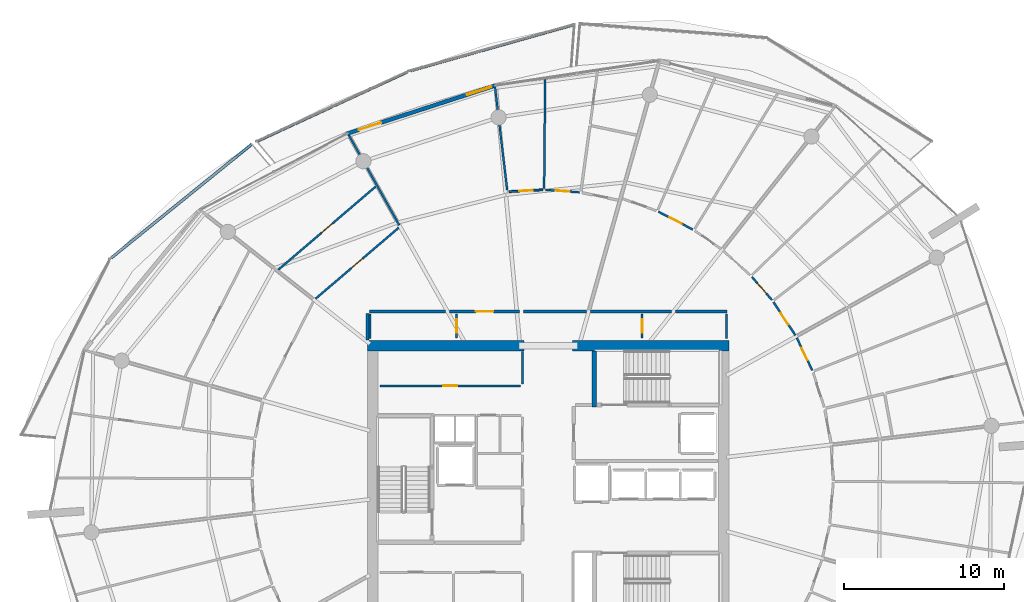
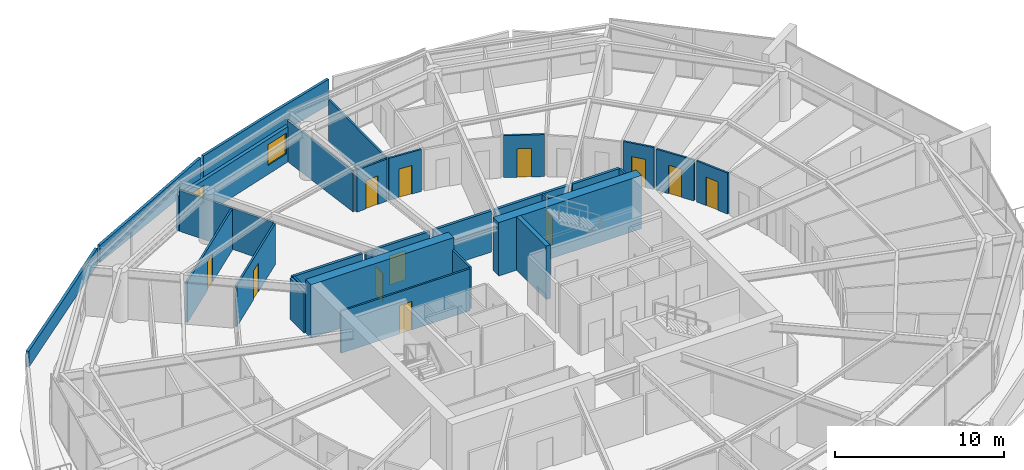
# One storey, part 21 of 29: 30 walls, 13 doors, 1 window, 14 openings.
"""IFC4 building model written with IfcOpenShell, lengths in metres."""

import ifcopenshell
import ifcopenshell.guid

model = None  # the IFC model being written
_history = None  # IfcOwnerHistory: only IFC2X3 demands one
_inside = {}  # id of a spatial element -> (the spatial element, [elements in it])
_under = {}  # id of a project, library or spatial element -> (it, [spatial elements below it])
_declared = {}  # id of a project -> (the project, [libraries it declares])
_typed = {}  # id of a type object -> (the type object, [elements of that type])
_made_of = {}  # id of a material, layer set ... -> (it, [elements and type objects made of it])


def new_model(schema):
    """Start an empty IFC model of exactly this schema.

    Asked for "IFC4X3", IfcOpenShell would pick the latest addendum, in which some entities
    have other attributes; the version numbers below select the first issue.
    IFC2X3 requires an IfcOwnerHistory on every rooted entity: one is made here for all.
    """
    global model, _history
    if schema == "IFC4X3":
        model = ifcopenshell.file(schema_version=(4, 3, 0, 0))
    else:
        model = ifcopenshell.file(schema=schema)
    _inside.clear()
    _under.clear()
    _declared.clear()
    _typed.clear()
    _made_of.clear()
    _history = None
    if model.schema == "IFC2X3":
        org = make("IfcOrganization", Name="unknown")
        user = make(
            "IfcPersonAndOrganization",
            ThePerson=make("IfcPerson", FamilyName="unknown"),
            TheOrganization=org,
        )
        app = make(
            "IfcApplication",
            ApplicationDeveloper=org,
            Version="unknown",
            ApplicationFullName="unknown",
            ApplicationIdentifier="unknown",
        )
        _history = make(
            "IfcOwnerHistory",
            OwningUser=user,
            OwningApplication=app,
            ChangeAction="ADDED",
            CreationDate=0,
        )
    return model


def make(cls, **values):
    """One entity of the class cls with the attributes given. An attribute that is None is left unset."""
    return model.create_entity(
        cls, **{name: value for name, value in values.items() if value is not None}
    )


def rooted(cls, **values):
    """An entity with a GlobalId (a new one), such as an element, a storey or a relation."""
    return make(cls, GlobalId=ifcopenshell.guid.new(), OwnerHistory=_history, **values)


def si_unit(unit_type, name, prefix=None):
    """IfcSIUnit, for example si_unit("LENGTHUNIT", "METRE", prefix="MILLI")."""
    return make("IfcSIUnit", UnitType=unit_type, Prefix=prefix, Name=name)


def assignment(units):
    """IfcUnitAssignment: the units of a project."""
    return None if units is None else make("IfcUnitAssignment", Units=units)


def point(xyz):
    """IfcCartesianPoint."""
    return None if xyz is None else make("IfcCartesianPoint", Coordinates=xyz)


def direction(xyz):
    """IfcDirection."""
    return None if xyz is None else make("IfcDirection", DirectionRatios=xyz)


def frame(location, z_axis=None, x_axis=None):
    """IfcAxis2Placement3D, a coordinate frame: its origin and axes. An axis left out is left unset."""
    return make(
        "IfcAxis2Placement3D",
        Location=point(location),
        Axis=direction(z_axis),
        RefDirection=direction(x_axis),
    )


def frame_2d(location, x_axis=None):
    """IfcAxis2Placement2D, a coordinate frame in the plane: its origin and x axis."""
    return make(
        "IfcAxis2Placement2D", Location=point(location), RefDirection=direction(x_axis)
    )


def origin():
    """The frame at (0, 0, 0) with its axes left unset."""
    return frame((0.0, 0.0, 0.0))


def place(relative_to, where):
    """IfcLocalPlacement: puts the frame where relative to a parent placement (None: the world)."""
    return make(
        "IfcLocalPlacement", PlacementRelTo=relative_to, RelativePlacement=where
    )


def context(
    kind, dimensions, precision=None, world=None, true_north=None, identifier=None
):
    """IfcGeometricRepresentationContext, for example the 3D "Model" context."""
    return make(
        "IfcGeometricRepresentationContext",
        ContextIdentifier=identifier,
        ContextType=kind,
        CoordinateSpaceDimension=dimensions,
        Precision=precision,
        WorldCoordinateSystem=world,
        TrueNorth=true_north,
    )


def subcontext(parent, identifier, kind, view, scale=None):
    """IfcGeometricRepresentationSubContext, for example "Body" below "Model"."""
    return make(
        "IfcGeometricRepresentationSubContext",
        ContextIdentifier=identifier,
        ContextType=kind,
        ParentContext=parent,
        TargetScale=scale,
        TargetView=view,
    )


def project(units=None, contexts=None):
    """IfcProject with its units and contexts."""
    return rooted(
        "IfcProject",
        Name="project",
        RepresentationContexts=contexts,
        UnitsInContext=assignment(units),
    )


def spatial(cls, under=None, at=None, **own):
    """A site, building, storey or space (cls), placed at a placement, below another one or the project."""
    s = rooted(cls, ObjectPlacement=at, **own)
    if under is not None:
        _under.setdefault(under.id(), (under, []))[1].append(s)
    return s


def polyline(points):
    """IfcPolyline through the points."""
    return make("IfcPolyline", Points=[point(p) for p in points])


def profile(cls, at=None, kind="AREA", **sizes):
    """A parametric profile (cls). Its sizes go by their IFC names, for example OverallWidth=200.0."""
    return make(cls, ProfileType=kind, Position=at, **sizes)


def rectangle(**sizes):
    """IfcRectangleProfileDef."""
    return profile("IfcRectangleProfileDef", **sizes)


def outline(outer, holes=None, kind="AREA"):
    """IfcArbitraryClosedProfileDef: a profile drawn as a closed curve; with holes, ...WithVoids."""
    if holes is None:
        return make("IfcArbitraryClosedProfileDef", ProfileType=kind, OuterCurve=outer)
    return make(
        "IfcArbitraryProfileDefWithVoids",
        ProfileType=kind,
        OuterCurve=outer,
        InnerCurves=holes,
    )


def extrude(swept, where, along, depth):
    """IfcExtrudedAreaSolid: the profile swept, set in the frame where, extruded along a direction by depth."""
    return make(
        "IfcExtrudedAreaSolid",
        SweptArea=swept,
        Position=where,
        ExtrudedDirection=direction(along),
        Depth=depth,
    )


def shape(context_of_items, identifier, shape_type, items):
    """IfcShapeRepresentation: the items that make up one representation, for example the "Body"."""
    return make(
        "IfcShapeRepresentation",
        ContextOfItems=context_of_items,
        RepresentationIdentifier=identifier,
        RepresentationType=shape_type,
        Items=items,
    )


def material(Name=None, Category=None):
    """IfcMaterial."""
    return make("IfcMaterial", Name=Name, Category=Category)


def layer(
    of_material, thickness, ventilated=None, Name=None, Category=None, Priority=None
):
    """IfcMaterialLayer: one layer of a wall or slab, of a material (None: an air gap)."""
    return make(
        "IfcMaterialLayer",
        Material=of_material,
        LayerThickness=thickness,
        IsVentilated=ventilated,
        Name=Name,
        Category=Category,
        Priority=Priority,
    )


def layer_set(layers, Name=None):
    """IfcMaterialLayerSet."""
    return make("IfcMaterialLayerSet", MaterialLayers=layers, LayerSetName=Name)


def made_of(thing, what):
    """Note that an element or type object is made of a material, layer set ...; save() writes the relation."""
    if what is not None:
        _made_of.setdefault(what.id(), (what, []))[1].append(thing)
    return thing


def type_object(cls, material=None, **own):
    """A type object (cls), such as IfcWallType, which elements share."""
    return made_of(rooted(cls, **own), material)


def element(
    cls,
    number,
    at=None,
    inside=None,
    cuts=None,
    type_object=None,
    material=None,
    context=None,
    identifier="Body",
    shape_type=None,
    held_by="IfcProductDefinitionShape",
    body=None,
    shapes=None,
    **own,
):
    """One element of the class cls, such as IfcWall. Its Tag is "e" and its number.

    at: its placement. inside: the storey or other place that contains it. cuts: it is an
    opening in that element (IfcRelVoidsElement). A single representation is given by context,
    identifier, shape_type and body (its items); several are given by shapes. held_by: the class
    of the entity that holds the representations. save() writes the other relations.
    """
    e = rooted(cls, Tag="e%d" % number, ObjectPlacement=at, **own)
    if body is not None:
        shapes = [shape(context, identifier, shape_type, body)]
    if shapes is not None:
        e.Representation = make(held_by, Representations=shapes)
    if inside is not None:
        _inside.setdefault(inside.id(), (inside, []))[1].append(e)
    if cuts is not None:
        rooted(
            "IfcRelVoidsElement", RelatingBuildingElement=cuts, RelatedOpeningElement=e
        )
    if type_object is not None:
        _typed.setdefault(type_object.id(), (type_object, []))[1].append(e)
    return made_of(e, material)


def fill(opening, filler):
    """IfcRelFillsElement: the door or window that sits in an opening."""
    return rooted(
        "IfcRelFillsElement",
        RelatingOpeningElement=opening,
        RelatedBuildingElement=filler,
    )


def aggregate(whole, parts):
    """IfcRelAggregates: a whole, such as a stair, and the parts it consists of."""
    return rooted("IfcRelAggregates", RelatingObject=whole, RelatedObjects=parts)


def save(model, path):
    """Write the relations noted so far, then the file.

    IfcRelAggregates (storeys below a building ...), IfcRelContainedInSpatialStructure (elements
    in a storey), IfcRelDefinesByType, IfcRelAssociatesMaterial and IfcRelDeclares: one each for
    every whole, place, type object, material and project.
    """
    for whole, parts in _under.values():
        aggregate(whole, parts)
    for where, things in _inside.values():
        rooted(
            "IfcRelContainedInSpatialStructure",
            RelatedElements=things,
            RelatingStructure=where,
        )
    for kind, things in _typed.values():
        rooted("IfcRelDefinesByType", RelatedObjects=things, RelatingType=kind)
    for what, things in _made_of.values():
        rooted("IfcRelAssociatesMaterial", RelatedObjects=things, RelatingMaterial=what)
    for by, libraries in _declared.values():
        rooted("IfcRelDeclares", RelatingContext=by, RelatedDefinitions=libraries)
    model.write(path)


model = new_model("IFC4")

# Units and contexts
model_context = context("Model", 3, precision=1e-05, world=origin(), true_north=direction((0.0, 1.0)))
body_context = subcontext(model_context, "Body", "Model", "MODEL_VIEW")
ifc_project = project(units=[si_unit("LENGTHUNIT", "METRE"), si_unit("AREAUNIT", "SQUARE_METRE"), si_unit("VOLUMEUNIT", "CUBIC_METRE"), si_unit("PLANEANGLEUNIT", "RADIAN"), si_unit("MASSUNIT", "GRAM", prefix="KILO")], contexts=[model_context])

# Site, building, storey
site_placement = place(None, origin())
site = spatial("IfcSite", under=ifc_project, at=site_placement, CompositionType="ELEMENT")
building_placement = place(site_placement, origin())
building = spatial("IfcBuilding", under=site, at=building_placement, Name="Kazma Halo Residences", CompositionType="ELEMENT")
storey_placement = place(building_placement, frame((0.0, 0.0, 252.10009765625)))
storey = spatial("IfcBuildingStorey", under=building, at=storey_placement, Name="L63", CompositionType="ELEMENT", Elevation=252.10009765625)

# Walls
ifc_material_1 = material(Name="White Concrete C50/60 Balustrade", Category="concrete")
ifc_layer_1 = layer(ifc_material_1, 0.179931640625)
ifc_layer_set_1 = layer_set([ifc_layer_1], Name="White Concrete C50/60 Balustrade")
wall_type_1 = type_object("IfcWallType", Name="WL-BAL-WAVE-180", PredefinedType="PARAPET", material=ifc_layer_set_1)
wall_1_placement = place(storey_placement, frame((50.05810546875, 70.364501953125, 0.0), z_axis=(0.0, 0.0, 1.0), x_axis=(-0.962462930889, -0.271413165976, 0.0)))
element("IfcWall", 1, at=wall_1_placement, inside=storey, type_object=wall_type_1, Name="L63 white wave balustrade wall NNW.1", PredefinedType="PARAPET", context=body_context, shape_type="SweptSolid", body=[
    extrude(outline(polyline([(0.0, 0.0), (10.610595703125, 0.0), (10.610595703125, 1.6318359375), (5.305419921875, 1.7978515625), (0.0, 1.85986328125), (0.0, 0.0)])), frame((0.0, 0.08984375, 0.0), z_axis=(0.0, -1.0, 0.0), x_axis=(1.0, 0.0, 0.0)), (0.0, 0.0, 1.0), 0.179931640625),
])
wall_2_placement = place(storey_placement, frame((39.621337890625, 67.401611328125, 0.0), z_axis=(0.0, 0.0, 1.0), x_axis=(-0.907848132744, -0.419299138888, 0.0)))
element("IfcWall", 2, at=wall_2_placement, inside=storey, type_object=wall_type_1, Name="L63 white wave balustrade wall NNW.2", PredefinedType="PARAPET", context=body_context, shape_type="SweptSolid", body=[
    extrude(outline(polyline([(0.0, 0.0), (10.34375, 0.0), (10.34375, 1.23291015625), (5.171875, 1.41796875), (0.0, 1.6318359375), (0.0, 0.0)])), frame((0.0, 0.08984375, 0.0), z_axis=(0.0, -1.0, 0.0), x_axis=(1.0, 0.0, 0.0)), (0.0, 0.0, 1.0), 0.179931640625),
])
wall_3_placement = place(storey_placement, frame((29.9326171875, 62.89453125, 0.0), z_axis=(0.0, 0.0, 1.0), x_axis=(-0.777688536298, -0.628649775718, 0.0)))
element("IfcWall", 3, at=wall_3_placement, inside=storey, type_object=wall_type_1, Name="L63 white wave balustrade wall NW.1", PredefinedType="PARAPET", context=body_context, shape_type="SweptSolid", body=[
    extrude(outline(polyline([(0.0, 0.0), (11.284912109375, 0.0), (11.28466796875, 1.14794921875), (5.642333984375, 1.126953125), (0.0, 1.223876953125), (0.0, 0.0)])), frame((0.0, 0.08984375, 0.0), z_axis=(0.0, -1.0, 0.0), x_axis=(1.0, 0.0, 0.0)), (0.0, 0.0, 1.0), 0.179931640625),
])
ifc_material_2 = material(Name="Concrete C60/75", Category="concrete")
ifc_layer_2 = layer(ifc_material_2, 0.64990234375)
ifc_layer_set_2 = layer_set([ifc_layer_2], Name="Concrete C60/75")
wall_type_2 = type_object("IfcWallType", Name="WL-CORE-650", PredefinedType="SHEAR", material=ifc_layer_set_2)
for number, where, z_axis, x_axis, name in (
    (4, (37.14990234375, 50.324951171875, 0.0), (0.0, 0.0, 1.0), (1.0, 0.0, 0.0), "L63 central core shear wall NW"),
    (5, (49.949951171875, 50.324951171875, 0.0), (0.0, 0.0, 1.0), (1.0, 0.0, 0.0), "L63 central core shear wall NE"),
):
    element("IfcWall", number, at=place(storey_placement, frame(where, z_axis=z_axis, x_axis=x_axis)), inside=storey, type_object=wall_type_2, Name=name, PredefinedType="SHEAR", context=body_context, shape_type="SweptSolid", body=[
        extrude(rectangle(XDim=9.75, YDim=0.64990234375, at=frame_2d((4.875, 0.0))), origin(), (0.0, 0.0, 1.0), 3.849853515625),
    ])
ifc_layer_3 = layer(ifc_material_2, 0.280029296875)
ifc_layer_set_3 = layer_set([ifc_layer_3], Name="Concrete C60/75")
wall_type_3 = type_object("IfcWallType", Name="WL-CORE-ST-280", PredefinedType="SHEAR", material=ifc_layer_set_3)
wall_4_placement = place(storey_placement, frame((51.31005859375, 46.5, 0.0), z_axis=(0.0, 0.0, 1.0), x_axis=(0.0, 1.0, 0.0)))
element("IfcWall", 6, at=wall_4_placement, inside=storey, type_object=wall_type_3, Name="L63 stairwell bearing wall ST02-W", PredefinedType="SHEAR", context=body_context, shape_type="SweptSolid", body=[
    extrude(rectangle(XDim=3.5, YDim=0.280029296875, at=frame_2d((1.75, 0.0))), origin(), (0.0, 0.0, 1.0), 3.849853515625),
])

# Wall, opening, door
ifc_material_3 = material(Name="Acoustic Twin-Stud Gypsum")
ifc_layer_4 = layer(ifc_material_3, 0.179931640625)
ifc_layer_set_4 = layer_set([ifc_layer_4], Name="Acoustic Twin-Stud Gypsum")
wall_type_4 = type_object("IfcWallType", Name="WL-DEM-180", PredefinedType="PARTITIONING", material=ifc_layer_set_4)
wall_5_placement = place(storey_placement, frame((46.643310546875, 52.449951171875, 0.0), z_axis=(0.0, 0.0, 1.0), x_axis=(-1.0, 0.0, 0.0)))
wall_5 = element("IfcWall", 7, at=wall_5_placement, inside=storey, type_object=wall_type_4, Name="L63 Apartment 1 entrance corridor wall", PredefinedType="PARTITIONING", context=body_context, shape_type="SweptSolid", body=[
    extrude(rectangle(XDim=4.375732421875, YDim=0.179931640625, at=frame_2d((2.18798828125, 0.0))), origin(), (0.0, 0.0, 1.0), 2.956787109375),
])
opening_1_placement = place(wall_5_placement, frame((1.6376953125, 0.0, 0.0)))
opening_1 = element("IfcOpeningElement", 8, at=opening_1_placement, cuts=wall_5, Name="Opening DA-1100", PredefinedType="OPENING", context=body_context, shape_type="SweptSolid", body=[
    extrude(rectangle(XDim=1.10009765625, YDim=2.10009765625, at=frame_2d((0.550048828125, 1.050048828125))), frame((0.0, 0.099853515625, 0.0), z_axis=(0.0, -1.0, 0.0), x_axis=(1.0, 0.0, 0.0)), (0.0, 0.0, 1.0), 0.199951171875),
])
ifc_material_4 = material(Name="Acoustic Walnut Fire Leaf")
door_type_1 = type_object("IfcDoorType", Name="DR-FD60-1100", OperationType="NOTDEFINED", PredefinedType="DOOR", material=ifc_material_4)
door_1_placement = place(opening_1_placement, origin())
door_1 = element("IfcDoor", 9, at=door_1_placement, inside=storey, type_object=door_type_1, Name="L63 Apartment 1 entrance fire door", OperationType="SINGLE_SWING_LEFT", OverallHeight=2.10009765625, OverallWidth=1.10009765625, PredefinedType="DOOR", context=body_context, shape_type="SweptSolid", body=[
    extrude(rectangle(XDim=1.10009765625, YDim=2.10009765625, at=frame_2d((0.550048828125, 1.050048828125))), frame((0.0, 0.02490234375, 0.0), z_axis=(0.0, -1.0, 0.0), x_axis=(1.0, 0.0, 0.0)), (0.0, 0.0, 1.0), 0.050048828125),
])
fill(opening_1, door_1)

# Walls
wall_6_placement = place(storey_placement, frame((50.8271484375, 52.449951171875, 0.0), z_axis=(0.0, 0.0, 1.0), x_axis=(-1.0, 0.0, 0.0)))
element("IfcWall", 10, at=wall_6_placement, inside=storey, type_object=wall_type_4, Name="L63 Apartment 1 inner wall 2", PredefinedType="PARTITIONING", context=body_context, shape_type="SweptSolid", body=[
    extrude(rectangle(XDim=3.94384765625, YDim=0.179931640625, at=frame_2d((1.971923828125, 0.0))), origin(), (0.0, 0.0, 1.0), 2.956787109375),
])
wall_7_placement = place(storey_placement, frame((42.027587890625, 52.449951171875, 0.0), z_axis=(0.0, 0.0, 1.0), x_axis=(-1.0, 0.0, 0.0)))
element("IfcWall", 11, at=wall_7_placement, inside=storey, type_object=wall_type_4, Name="L63 Apartment 1 inner wall 4", PredefinedType="PARTITIONING", context=body_context, shape_type="SweptSolid", body=[
    extrude(rectangle(XDim=4.757568359375, YDim=0.179931640625, at=frame_2d((2.37890625, 0.0))), origin(), (0.0, 0.0, 1.0), 2.956787109375),
])
wall_8_placement = place(storey_placement, frame((37.14990234375, 52.330078125, 0.0), z_axis=(0.0, 0.0, 1.0), x_axis=(0.0, -1.0, 0.0)))
element("IfcWall", 12, at=wall_8_placement, inside=storey, type_object=wall_type_4, Name="L63 Apartment 1 inner wall 4", PredefinedType="PARTITIONING", context=body_context, shape_type="SweptSolid", body=[
    extrude(rectangle(XDim=1.656494140625, YDim=0.179931640625, at=frame_2d((0.828125, 0.0))), origin(), (0.0, 0.0, 1.0), 2.956787109375),
])
wall_9_placement = place(storey_placement, frame((59.580078125, 52.449951171875, 0.0), z_axis=(0.0, 0.0, 1.0), x_axis=(-1.0, 0.0, 0.0)))
element("IfcWall", 13, at=wall_9_placement, inside=storey, type_object=wall_type_4, Name="L63 Apartment 3 inner wall 0", PredefinedType="PARTITIONING", context=body_context, shape_type="SweptSolid", body=[
    extrude(rectangle(XDim=3.221923828125, YDim=0.179931640625, at=frame_2d((1.61083984375, 0.0))), origin(), (0.0, 0.0, 1.0), 2.956787109375),
])
wall_10_placement = place(storey_placement, frame((56.1181640625, 52.449951171875, 0.0), z_axis=(0.0, 0.0, 1.0), x_axis=(-1.0, 0.0, 0.0)))
element("IfcWall", 14, at=wall_10_placement, inside=storey, type_object=wall_type_4, Name="L63 Apartment 3 inner wall 1", PredefinedType="PARTITIONING", context=body_context, shape_type="SweptSolid", body=[
    extrude(rectangle(XDim=5.051025390625, YDim=0.179931640625, at=frame_2d((2.525390625, 0.0))), origin(), (0.0, 0.0, 1.0), 2.956787109375),
])

# Wall, openings, door, window
ifc_material_5 = material(Name="Insulated Pale-Metal Composite Wall")
ifc_layer_5 = layer(ifc_material_5, 0.239990234375)
ifc_layer_set_5 = layer_set([ifc_layer_5], Name="Insulated Pale-Metal Composite Wall")
wall_type_5 = type_object("IfcWallType", Name="WL-EXT-HOST-240", PredefinedType="SOLIDWALL", material=ifc_layer_set_5)
wall_11_placement = place(storey_placement, frame((45.14208984375, 66.563720703125, 0.0), z_axis=(0.0, 0.0, 1.0), x_axis=(-0.951055974609, -0.309018661507, 0.0)))
wall_11 = element("IfcWall", 15, at=wall_11_placement, inside=storey, type_object=wall_type_5, Name="L63 exterior terrace-access wall B04", PredefinedType="SOLIDWALL", context=body_context, shape_type="SweptSolid", body=[
    extrude(rectangle(XDim=9.745361328125, YDim=0.239990234375, at=frame_2d((4.87255859375, 0.0))), origin(), (0.0, 0.0, 1.0), 2.539794921875),
])
opening_2_placement = place(wall_11_placement, frame((7.525390625, 0.0, 0.0)))
opening_2 = element("IfcOpeningElement", 16, at=opening_2_placement, cuts=wall_11, Name="Opening DTR-1600", PredefinedType="OPENING", context=body_context, shape_type="SweptSolid", body=[
    extrude(rectangle(XDim=1.449951171875, YDim=2.14990234375, at=frame_2d((0.72509765625, 1.074951171875))), frame((0.0, 0.1298828125, 0.0), z_axis=(0.0, -1.0, 0.0), x_axis=(1.0, 0.0, 0.0)), (0.0, 0.0, 1.0), 0.260009765625),
])
opening_3_placement = place(wall_11_placement, frame((0.280029296875, 0.0, 0.64990234375)))
opening_3 = element("IfcOpeningElement", 17, at=opening_3_placement, cuts=wall_11, Name="Opening W-1800", PredefinedType="OPENING", context=body_context, shape_type="SweptSolid", body=[
    extrude(rectangle(XDim=1.60009765625, YDim=1.5, at=frame_2d((0.800048828125, 0.75))), frame((0.0, 0.1298828125, 0.0), z_axis=(0.0, -1.0, 0.0), x_axis=(1.0, 0.0, 0.0)), (0.0, 0.0, 1.0), 0.260009765625),
])
ifc_material_6 = material(Name="Aluminium AW-6063 T6 Double-Glazed Terrace Door", Category="aluminium")
door_type_2 = type_object("IfcDoorType", Name="DR-EXT-TERR-1600", OperationType="NOTDEFINED", PredefinedType="DOOR", material=ifc_material_6)
door_2_placement = place(opening_2_placement, origin())
door_2 = element("IfcDoor", 18, at=door_2_placement, inside=storey, type_object=door_type_2, Name="L63 B04 balcony terrace door", OperationType="DOUBLE_DOOR_SLIDING", OverallHeight=2.14990234375, OverallWidth=1.449951171875, PredefinedType="DOOR", context=body_context, shape_type="SweptSolid", body=[
    extrude(rectangle(XDim=1.449951171875, YDim=2.14990234375, at=frame_2d((0.72509765625, 1.074951171875))), frame((0.0, 0.02490234375, 0.0), z_axis=(0.0, -1.0, 0.0), x_axis=(1.0, 0.0, 0.0)), (0.0, 0.0, 1.0), 0.050048828125),
])
fill(opening_2, door_2)
ifc_material_7 = material(Name="Clear Triple-Silver Low-E Glass in Aluminium AW-6063 T6 Frame", Category="aluminium")
window_type = type_object("IfcWindowType", Name="WIN-RES-1800", PartitioningType="DOUBLE_PANEL_VERTICAL", PredefinedType="WINDOW", material=ifc_material_7)
window_placement = place(opening_3_placement, origin())
window = element("IfcWindow", 19, at=window_placement, inside=storey, type_object=window_type, Name="L63 B04 apartment window", OverallHeight=1.5, OverallWidth=1.60009765625, PartitioningType="SINGLE_PANEL", PredefinedType="WINDOW", context=body_context, shape_type="SweptSolid", body=[
    extrude(rectangle(XDim=1.60009765625, YDim=1.5, at=frame_2d((0.800048828125, 0.75))), frame((0.0, 0.030029296875, 0.0), z_axis=(0.0, -1.0, 0.0), x_axis=(1.0, 0.0, 0.0)), (0.0, 0.0, 1.0), 0.06005859375),
])
fill(opening_3, window)

# Wall
ifc_material_8 = material(Name="Gypsum Plasterboard Partition")
ifc_layer_6 = layer(ifc_material_8, 0.125)
ifc_layer_set_6 = layer_set([ifc_layer_6], Name="Gypsum Plasterboard Partition")
wall_type_6 = type_object("IfcWallType", Name="WL-PART-125", PredefinedType="PARTITIONING", material=ifc_layer_set_6)
wall_12_placement = place(storey_placement, frame((46.820068359375, 47.919921875, 0.0), z_axis=(0.0, 0.0, 1.0), x_axis=(0.0, 1.0, 0.0)))
element("IfcWall", 20, at=wall_12_placement, inside=storey, type_object=wall_type_6, Name="L63 reclaimed north east wall", PredefinedType="PARTITIONING", context=body_context, shape_type="SweptSolid", body=[
    extrude(rectangle(XDim=2.030029296875, YDim=0.125, at=frame_2d((1.01513671875, 0.0))), origin(), (0.0, 0.0, 1.0), 3.02978515625),
])

# Wall, opening, door
wall_13_placement = place(storey_placement, frame((37.919921875, 47.820068359375, 0.0), z_axis=(0.0, 0.0, 1.0), x_axis=(1.0, 0.0, 0.0)))
wall_13 = element("IfcWall", 21, at=wall_13_placement, inside=storey, type_object=wall_type_6, Name="L63 reclaimed north front wall", PredefinedType="PARTITIONING", context=body_context, shape_type="SweptSolid", body=[
    extrude(rectangle(XDim=8.780029296875, YDim=0.125, at=frame_2d((4.39013671875, 0.0))), origin(), (0.0, 0.0, 1.0), 3.02978515625),
])
opening_4_placement = place(wall_13_placement, frame((3.965087890625, 0.0, 0.0)))
opening_4 = element("IfcOpeningElement", 22, at=opening_4_placement, cuts=wall_13, Name="Opening DS-850", PredefinedType="OPENING", context=body_context, shape_type="SweptSolid", body=[
    extrude(rectangle(XDim=0.85009765625, YDim=2.06005859375, at=frame_2d((0.425048828125, 1.030029296875))), frame((0.0, 0.072509765625, 0.0), z_axis=(0.0, -1.0, 0.0), x_axis=(1.0, 0.0, 0.0)), (0.0, 0.0, 1.0), 0.14501953125),
])
ifc_material_9 = material(Name="Painted Steel Access Leaf", Category="steel")
door_type_3 = type_object("IfcDoorType", Name="DR-SVC-850", OperationType="NOTDEFINED", PredefinedType="DOOR", material=ifc_material_9)
door_3_placement = place(opening_4_placement, origin())
door_3 = element("IfcDoor", 23, at=door_3_placement, inside=storey, type_object=door_type_3, Name="L63 reclaimed north service door", OperationType="SINGLE_SWING_RIGHT", OverallHeight=2.06005859375, OverallWidth=0.85009765625, PredefinedType="DOOR", context=body_context, shape_type="SweptSolid", body=[
    extrude(rectangle(XDim=0.85009765625, YDim=2.06005859375, at=frame_2d((0.425048828125, 1.030029296875))), frame((0.0, 0.02490234375, 0.0), z_axis=(0.0, -1.0, 0.0), x_axis=(1.0, 0.0, 0.0)), (0.0, 0.0, 1.0), 0.050048828125),
])
fill(opening_4, door_3)

# Walls
for number, where, z_axis, x_axis, name in (
    (24, (37.2900390625, 50.77001953125, 0.0), (0.0, 0.0, 1.0), (0.0, 1.0, 0.0), "L63 west linen end wall"),
    (25, (59.56005859375, 50.77001953125, 0.0), (0.0, 0.0, 1.0), (0.0, 1.0, 0.0), "L63 east cupboard end wall"),
):
    element("IfcWall", number, at=place(storey_placement, frame(where, z_axis=z_axis, x_axis=x_axis)), inside=storey, type_object=wall_type_6, Name=name, PredefinedType="PARTITIONING", context=body_context, shape_type="SweptSolid", body=[
        extrude(rectangle(XDim=1.5400390625, YDim=0.125, at=frame_2d((0.77001953125, 0.0))), origin(), (0.0, 0.0, 1.0), 3.02978515625),
    ])

# Wall, opening, door
wall_14_placement = place(storey_placement, frame((42.7099609375, 50.7900390625, 0.0), z_axis=(0.0, 0.0, 1.0), x_axis=(0.0, 1.0, 0.0)))
wall_14 = element("IfcWall", 26, at=wall_14_placement, inside=storey, type_object=wall_type_6, Name="L63 floor linen store door wall", PredefinedType="PARTITIONING", context=body_context, shape_type="SweptSolid", body=[
    extrude(rectangle(XDim=1.52001953125, YDim=0.125, at=frame_2d((0.760009765625, 0.0))), origin(), (0.0, 0.0, 1.0), 2.956787109375),
])
opening_5_placement = place(wall_14_placement, frame((0.3349609375, 0.0, 0.0)))
opening_5 = element("IfcOpeningElement", 27, at=opening_5_placement, cuts=wall_14, Name="Opening DS-850", PredefinedType="OPENING", context=body_context, shape_type="SweptSolid", body=[
    extrude(rectangle(XDim=0.85009765625, YDim=2.06005859375, at=frame_2d((0.425048828125, 1.030029296875))), frame((0.0, 0.072509765625, 0.0), z_axis=(0.0, -1.0, 0.0), x_axis=(1.0, 0.0, 0.0)), (0.0, 0.0, 1.0), 0.14501953125),
])
door_4_placement = place(opening_5_placement, origin())
door_4 = element("IfcDoor", 28, at=door_4_placement, inside=storey, type_object=door_type_3, Name="L63 floor linen store door", OperationType="SINGLE_SWING_RIGHT", OverallHeight=2.06005859375, OverallWidth=0.85009765625, PredefinedType="DOOR", context=body_context, shape_type="SweptSolid", body=[
    extrude(rectangle(XDim=0.85009765625, YDim=2.06005859375, at=frame_2d((0.425048828125, 1.030029296875))), frame((0.0, 0.02490234375, 0.0), z_axis=(0.0, -1.0, 0.0), x_axis=(1.0, 0.0, 0.0)), (0.0, 0.0, 1.0), 0.050048828125),
])
fill(opening_5, door_4)

wall_15_placement = place(storey_placement, frame((54.2900390625, 50.7900390625, 0.0), z_axis=(0.0, 0.0, 1.0), x_axis=(0.0, 1.0, 0.0)))
wall_15 = element("IfcWall", 29, at=wall_15_placement, inside=storey, type_object=wall_type_6, Name="L63 floor metering cupboard door wall", PredefinedType="PARTITIONING", context=body_context, shape_type="SweptSolid", body=[
    extrude(rectangle(XDim=1.52001953125, YDim=0.125, at=frame_2d((0.760009765625, 0.0))), origin(), (0.0, 0.0, 1.0), 3.02978515625),
])
opening_6_placement = place(wall_15_placement, frame((0.3349609375, 0.0, 0.0)))
opening_6 = element("IfcOpeningElement", 30, at=opening_6_placement, cuts=wall_15, Name="Opening DS-850", PredefinedType="OPENING", context=body_context, shape_type="SweptSolid", body=[
    extrude(rectangle(XDim=0.85009765625, YDim=2.06005859375, at=frame_2d((0.425048828125, 1.030029296875))), frame((0.0, 0.072509765625, 0.0), z_axis=(0.0, -1.0, 0.0), x_axis=(1.0, 0.0, 0.0)), (0.0, 0.0, 1.0), 0.14501953125),
])
door_5_placement = place(opening_6_placement, origin())
door_5 = element("IfcDoor", 31, at=door_5_placement, inside=storey, type_object=door_type_3, Name="L63 floor cupboard door", OperationType="SINGLE_SWING_LEFT", OverallHeight=2.06005859375, OverallWidth=0.85009765625, PredefinedType="DOOR", context=body_context, shape_type="SweptSolid", body=[
    extrude(rectangle(XDim=0.85009765625, YDim=2.06005859375, at=frame_2d((0.425048828125, 1.030029296875))), frame((0.0, 0.02490234375, 0.0), z_axis=(0.0, -1.0, 0.0), x_axis=(1.0, 0.0, 0.0)), (0.0, 0.0, 1.0), 0.050048828125),
])
fill(opening_6, door_5)

# Walls
wall_16_placement = place(storey_placement, frame((45.8662109375, 60.0283203125, 0.0), z_axis=(0.0, 0.0, 1.0), x_axis=(-0.117545094797, 0.993067545885, 0.0)))
element("IfcWall", 32, at=wall_16_placement, inside=storey, type_object=wall_type_6, Name="L63 Apartment 1 living radial partition 2", PredefinedType="PARTITIONING", context=body_context, shape_type="SweptSolid", body=[
    extrude(rectangle(XDim=6.54052734375, YDim=0.125, at=frame_2d((3.270263671875, 0.0))), origin(), (0.0, 0.0, 1.0), 2.956787109375),
])
wall_17_placement = place(storey_placement, frame((48.1708984375, 60.143310546875, 0.0), z_axis=(0.0, 0.0, 1.0), x_axis=(0.009441272277, 0.999955430196, 0.0)))
element("IfcWall", 33, at=wall_17_placement, inside=storey, type_object=wall_type_6, Name="L63 Apartment 1 suite divider 2", PredefinedType="PARTITIONING", context=body_context, shape_type="SweptSolid", body=[
    extrude(rectangle(XDim=6.8525390625, YDim=0.125, at=frame_2d((3.42626953125, 0.0))), origin(), (0.0, 0.0, 1.0), 3.02978515625),
])

# Wall, opening, door
wall_18_placement = place(storey_placement, frame((50.369873046875, 59.892333984375, 0.0), z_axis=(0.0, 0.0, 1.0), x_axis=(-0.997336577358, 0.072936626353, 0.0)))
wall_18 = element("IfcWall", 34, at=wall_18_placement, inside=storey, type_object=wall_type_6, Name="L63 Apartment 1 Gourmet Kitchen hall wall", PredefinedType="PARTITIONING", context=body_context, shape_type="SweptSolid", body=[
    extrude(rectangle(XDim=2.12548828125, YDim=0.125, at=frame_2d((1.062744140625, 0.0))), origin(), (0.0, 0.0, 1.0), 3.02978515625),
])
opening_7_placement = place(wall_18_placement, frame((0.6376953125, 0.0, 0.0)))
opening_7 = element("IfcOpeningElement", 35, at=opening_7_placement, cuts=wall_18, Name="Opening DB-900", PredefinedType="OPENING", context=body_context, shape_type="SweptSolid", body=[
    extrude(rectangle(XDim=0.85009765625, YDim=2.06005859375, at=frame_2d((0.425048828125, 1.030029296875))), frame((0.0, 0.072509765625, 0.0), z_axis=(0.0, -1.0, 0.0), x_axis=(1.0, 0.0, 0.0)), (0.0, 0.0, 1.0), 0.14501953125),
])
ifc_material_10 = material(Name="Moisture-Sealed Timber Leaf", Category="wood")
door_type_4 = type_object("IfcDoorType", Name="DR-BTH-900", OperationType="NOTDEFINED", PredefinedType="DOOR", material=ifc_material_10)
door_6_placement = place(opening_7_placement, origin())
door_6 = element("IfcDoor", 36, at=door_6_placement, inside=storey, type_object=door_type_4, Name="L63 Apartment 1 Gourmet Kitchen door", OperationType="SINGLE_SWING_RIGHT", OverallHeight=2.06005859375, OverallWidth=0.85009765625, PredefinedType="DOOR", context=body_context, shape_type="SweptSolid", body=[
    extrude(rectangle(XDim=0.85009765625, YDim=2.06005859375, at=frame_2d((0.425048828125, 1.030029296875))), frame((0.0, 0.02490234375, 0.0), z_axis=(0.0, -1.0, 0.0), x_axis=(1.0, 0.0, 0.0)), (0.0, 0.0, 1.0), 0.050048828125),
])
fill(opening_7, door_6)

wall_19_placement = place(storey_placement, frame((48.09033203125, 60.048828125, 0.0), z_axis=(0.0, 0.0, 1.0), x_axis=(-0.998534362098, -0.054121416367, 0.0)))
wall_19 = element("IfcWall", 37, at=wall_19_placement, inside=storey, type_object=wall_type_6, Name="L63 Apartment 1 Primary Bedroom hall wall", PredefinedType="PARTITIONING", context=body_context, shape_type="SweptSolid", body=[
    extrude(rectangle(XDim=2.11572265625, YDim=0.125, at=frame_2d((1.057861328125, 0.0))), origin(), (0.0, 0.0, 1.0), 3.02978515625),
])
opening_8_placement = place(wall_19_placement, frame((0.6328125, 0.0, 0.0)))
opening_8 = element("IfcOpeningElement", 38, at=opening_8_placement, cuts=wall_19, Name="Opening DB-900", PredefinedType="OPENING", context=body_context, shape_type="SweptSolid", body=[
    extrude(rectangle(XDim=0.85009765625, YDim=2.06005859375, at=frame_2d((0.425048828125, 1.030029296875))), frame((0.0, 0.072509765625, 0.0), z_axis=(0.0, -1.0, 0.0), x_axis=(1.0, 0.0, 0.0)), (0.0, 0.0, 1.0), 0.14501953125),
])
door_7_placement = place(opening_8_placement, origin())
door_7 = element("IfcDoor", 39, at=door_7_placement, inside=storey, type_object=door_type_4, Name="L63 Apartment 1 Primary Bedroom door", OperationType="SINGLE_SWING_LEFT", OverallHeight=2.06005859375, OverallWidth=0.85009765625, PredefinedType="DOOR", context=body_context, shape_type="SweptSolid", body=[
    extrude(rectangle(XDim=0.85009765625, YDim=2.06005859375, at=frame_2d((0.425048828125, 1.030029296875))), frame((0.0, 0.02490234375, 0.0), z_axis=(0.0, -1.0, 0.0), x_axis=(1.0, 0.0, 0.0)), (0.0, 0.0, 1.0), 0.050048828125),
])
fill(opening_8, door_7)

# Wall
wall_20_placement = place(storey_placement, frame((39.12939453125, 57.83935546875, 0.0), z_axis=(0.0, 0.0, 1.0), x_axis=(-0.488617220279, 0.872498259051, 0.0)))
element("IfcWall", 40, at=wall_20_placement, inside=storey, type_object=wall_type_6, Name="L63 Apartment 1 radial partition 4", PredefinedType="PARTITIONING", context=body_context, shape_type="SweptSolid", body=[
    extrude(rectangle(XDim=6.440673828125, YDim=0.125, at=frame_2d((3.22021484375, 0.0))), origin(), (0.0, 0.0, 1.0), 2.956787109375),
])

# Wall, opening, door
wall_21_placement = place(storey_placement, frame((39.0947265625, 57.6806640625, 0.0), z_axis=(0.0, 0.0, 1.0), x_axis=(-0.760396866349, -0.649458702033, 0.0)))
wall_21 = element("IfcWall", 41, at=wall_21_placement, inside=storey, type_object=wall_type_6, Name="L63 Apartment 1 East Study hall wall", PredefinedType="PARTITIONING", context=body_context, shape_type="SweptSolid", body=[
    extrude(rectangle(XDim=6.824462890625, YDim=0.125, at=frame_2d((3.412109375, 0.0))), origin(), (0.0, 0.0, 1.0), 2.956787109375),
])
opening_9_placement = place(wall_21_placement, frame((2.962158203125, 0.0, 0.0)))
opening_9 = element("IfcOpeningElement", 42, at=opening_9_placement, cuts=wall_21, Name="Opening DI-950", PredefinedType="OPENING", context=body_context, shape_type="SweptSolid", body=[
    extrude(rectangle(XDim=0.89990234375, YDim=2.080078125, at=frame_2d((0.449951171875, 1.0400390625))), frame((0.0, 0.072509765625, 0.0), z_axis=(0.0, -1.0, 0.0), x_axis=(1.0, 0.0, 0.0)), (0.0, 0.0, 1.0), 0.14501953125),
])
ifc_material_11 = material(Name="Timber Veneer Flush Leaf", Category="wood")
door_type_5 = type_object("IfcDoorType", Name="DR-INT-950", OperationType="NOTDEFINED", PredefinedType="DOOR", material=ifc_material_11)
door_8_placement = place(opening_9_placement, origin())
door_8 = element("IfcDoor", 43, at=door_8_placement, inside=storey, type_object=door_type_5, Name="L63 Apartment 1 East Study door", OperationType="SINGLE_SWING_RIGHT", OverallHeight=2.080078125, OverallWidth=0.89990234375, PredefinedType="DOOR", context=body_context, shape_type="SweptSolid", body=[
    extrude(rectangle(XDim=0.89990234375, YDim=2.080078125, at=frame_2d((0.449951171875, 1.0400390625))), frame((0.0, 0.02490234375, 0.0), z_axis=(0.0, -1.0, 0.0), x_axis=(1.0, 0.0, 0.0)), (0.0, 0.0, 1.0), 0.050048828125),
])
fill(opening_9, door_8)

wall_22_placement = place(storey_placement, frame((37.65673828125, 60.248291015625, 0.0), z_axis=(0.0, 0.0, 1.0), x_axis=(-0.76041400447, -0.649438635905, 0.0)))
wall_22 = element("IfcWall", 44, at=wall_22_placement, inside=storey, type_object=wall_type_6, Name="L63 Apartment 1 West Master Bedroom divider wall", PredefinedType="PARTITIONING", context=body_context, shape_type="SweptSolid", body=[
    extrude(rectangle(XDim=7.97265625, YDim=0.125, at=frame_2d((3.986328125, 0.0))), origin(), (0.0, 0.0, 1.0), 2.956787109375),
])
opening_10_placement = place(wall_22_placement, frame((3.536376953125, 0.0, 0.0)))
opening_10 = element("IfcOpeningElement", 45, at=opening_10_placement, cuts=wall_22, Name="Opening DI-950", PredefinedType="OPENING", context=body_context, shape_type="SweptSolid", body=[
    extrude(rectangle(XDim=0.89990234375, YDim=2.080078125, at=frame_2d((0.449951171875, 1.0400390625))), frame((0.0, 0.072509765625, 0.0), z_axis=(0.0, -1.0, 0.0), x_axis=(1.0, 0.0, 0.0)), (0.0, 0.0, 1.0), 0.14501953125),
])
door_9_placement = place(opening_10_placement, origin())
door_9 = element("IfcDoor", 46, at=door_9_placement, inside=storey, type_object=door_type_5, Name="L63 Apartment 1 West Master Bedroom door", OperationType="SINGLE_SWING_LEFT", OverallHeight=2.080078125, OverallWidth=0.89990234375, PredefinedType="DOOR", context=body_context, shape_type="SweptSolid", body=[
    extrude(rectangle(XDim=0.89990234375, YDim=2.080078125, at=frame_2d((0.449951171875, 1.0400390625))), frame((0.0, 0.02490234375, 0.0), z_axis=(0.0, -1.0, 0.0), x_axis=(1.0, 0.0, 0.0)), (0.0, 0.0, 1.0), 0.050048828125),
])
fill(opening_10, door_9)

wall_23_placement = place(storey_placement, frame((64.900634765625, 48.784912109375, 0.0), z_axis=(0.0, 0.0, 1.0), x_axis=(-0.429451921588, 0.903089722588, 0.0)))
wall_23 = element("IfcWall", 47, at=wall_23_placement, inside=storey, type_object=wall_type_6, Name="L63 Apartment 3 Corner Master Bedroom hall wall", PredefinedType="PARTITIONING", context=body_context, shape_type="SweptSolid", body=[
    extrude(rectangle(XDim=2.2431640625, YDim=0.125, at=frame_2d((1.12158203125, 0.0))), origin(), (0.0, 0.0, 1.0), 2.956787109375),
])
opening_11_placement = place(wall_23_placement, frame((0.69677734375, 0.0, 0.0)))
opening_11 = element("IfcOpeningElement", 48, at=opening_11_placement, cuts=wall_23, Name="Opening DB-900", PredefinedType="OPENING", context=body_context, shape_type="SweptSolid", body=[
    extrude(rectangle(XDim=0.85009765625, YDim=2.06005859375, at=frame_2d((0.425048828125, 1.030029296875))), frame((0.0, 0.072509765625, 0.0), z_axis=(0.0, -1.0, 0.0), x_axis=(1.0, 0.0, 0.0)), (0.0, 0.0, 1.0), 0.14501953125),
])
door_10_placement = place(opening_11_placement, origin())
door_10 = element("IfcDoor", 49, at=door_10_placement, inside=storey, type_object=door_type_4, Name="L63 Apartment 3 Corner Master Bedroom door", OperationType="SINGLE_SWING_RIGHT", OverallHeight=2.06005859375, OverallWidth=0.85009765625, PredefinedType="DOOR", context=body_context, shape_type="SweptSolid", body=[
    extrude(rectangle(XDim=0.85009765625, YDim=2.06005859375, at=frame_2d((0.425048828125, 1.030029296875))), frame((0.0, 0.02490234375, 0.0), z_axis=(0.0, -1.0, 0.0), x_axis=(1.0, 0.0, 0.0)), (0.0, 0.0, 1.0), 0.050048828125),
])
fill(opening_11, door_10)

wall_24_placement = place(storey_placement, frame((63.85009765625, 50.968017578125, 0.0), z_axis=(0.0, 0.0, 1.0), x_axis=(-0.550588918003, 0.834776523012, 0.0)))
wall_24 = element("IfcWall", 50, at=wall_24_placement, inside=storey, type_object=wall_type_6, Name="L63 Apartment 3 Gulf Master Bedroom hall wall", PredefinedType="PARTITIONING", context=body_context, shape_type="SweptSolid", body=[
    extrude(rectangle(XDim=2.484375, YDim=0.125, at=frame_2d((1.2421875, 0.0))), origin(), (0.0, 0.0, 1.0), 2.956787109375),
])
opening_12_placement = place(wall_24_placement, frame((0.8173828125, 0.0, 0.0)))
opening_12 = element("IfcOpeningElement", 51, at=opening_12_placement, cuts=wall_24, Name="Opening DB-900", PredefinedType="OPENING", context=body_context, shape_type="SweptSolid", body=[
    extrude(rectangle(XDim=0.85009765625, YDim=2.06005859375, at=frame_2d((0.425048828125, 1.030029296875))), frame((0.0, 0.072509765625, 0.0), z_axis=(0.0, -1.0, 0.0), x_axis=(1.0, 0.0, 0.0)), (0.0, 0.0, 1.0), 0.14501953125),
])
door_11_placement = place(opening_12_placement, origin())
door_11 = element("IfcDoor", 52, at=door_11_placement, inside=storey, type_object=door_type_4, Name="L63 Apartment 3 Gulf Master Bedroom door", OperationType="SINGLE_SWING_LEFT", OverallHeight=2.06005859375, OverallWidth=0.85009765625, PredefinedType="DOOR", context=body_context, shape_type="SweptSolid", body=[
    extrude(rectangle(XDim=0.85009765625, YDim=2.06005859375, at=frame_2d((0.425048828125, 1.030029296875))), frame((0.0, 0.02490234375, 0.0), z_axis=(0.0, -1.0, 0.0), x_axis=(1.0, 0.0, 0.0)), (0.0, 0.0, 1.0), 0.050048828125),
])
fill(opening_12, door_11)

wall_25_placement = place(storey_placement, frame((62.3857421875, 53.169189453125, 0.0), z_axis=(0.0, 0.0, 1.0), x_axis=(-0.653885574284, 0.756593454732, 0.0)))
wall_25 = element("IfcWall", 53, at=wall_25_placement, inside=storey, type_object=wall_type_6, Name="L63 Apartment 3 Primary Study hall wall", PredefinedType="PARTITIONING", context=body_context, shape_type="SweptSolid", body=[
    extrude(rectangle(XDim=1.91357421875, YDim=0.125, at=frame_2d((0.956787109375, 0.0))), origin(), (0.0, 0.0, 1.0), 3.02978515625),
])
opening_13_placement = place(wall_25_placement, frame((0.53173828125, 0.0, 0.0)))
opening_13 = element("IfcOpeningElement", 54, at=opening_13_placement, cuts=wall_25, Name="Opening DB-900", PredefinedType="OPENING", context=body_context, shape_type="SweptSolid", body=[
    extrude(rectangle(XDim=0.85009765625, YDim=2.06005859375, at=frame_2d((0.425048828125, 1.030029296875))), frame((0.0, 0.072509765625, 0.0), z_axis=(0.0, -1.0, 0.0), x_axis=(1.0, 0.0, 0.0)), (0.0, 0.0, 1.0), 0.14501953125),
])
door_12_placement = place(opening_13_placement, origin())
door_12 = element("IfcDoor", 55, at=door_12_placement, inside=storey, type_object=door_type_4, Name="L63 Apartment 3 Primary Study door", OperationType="SINGLE_SWING_RIGHT", OverallHeight=2.06005859375, OverallWidth=0.85009765625, PredefinedType="DOOR", context=body_context, shape_type="SweptSolid", body=[
    extrude(rectangle(XDim=0.85009765625, YDim=2.06005859375, at=frame_2d((0.425048828125, 1.030029296875))), frame((0.0, 0.02490234375, 0.0), z_axis=(0.0, -1.0, 0.0), x_axis=(1.0, 0.0, 0.0)), (0.0, 0.0, 1.0), 0.050048828125),
])
fill(opening_13, door_12)

wall_26_placement = place(storey_placement, frame((57.447509765625, 57.5693359375, 0.0), z_axis=(0.0, 0.0, 1.0), x_axis=(-0.887400582176, 0.460999139646, 0.0)))
wall_26 = element("IfcWall", 56, at=wall_26_placement, inside=storey, type_object=wall_type_6, Name="L63 Apartment 3 South Study hall wall", PredefinedType="PARTITIONING", context=body_context, shape_type="SweptSolid", body=[
    extrude(rectangle(XDim=2.413330078125, YDim=0.125, at=frame_2d((1.20654296875, 0.0))), origin(), (0.0, 0.0, 1.0), 3.02978515625),
])
opening_14_placement = place(wall_26_placement, frame((0.781494140625, 0.0, 0.0)))
opening_14 = element("IfcOpeningElement", 57, at=opening_14_placement, cuts=wall_26, Name="Opening DB-900", PredefinedType="OPENING", context=body_context, shape_type="SweptSolid", body=[
    extrude(rectangle(XDim=0.85009765625, YDim=2.06005859375, at=frame_2d((0.425048828125, 1.030029296875))), frame((0.0, 0.072509765625, 0.0), z_axis=(0.0, -1.0, 0.0), x_axis=(1.0, 0.0, 0.0)), (0.0, 0.0, 1.0), 0.14501953125),
])
door_13_placement = place(opening_14_placement, origin())
door_13 = element("IfcDoor", 58, at=door_13_placement, inside=storey, type_object=door_type_4, Name="L63 Apartment 3 South Study door", OperationType="SINGLE_SWING_LEFT", OverallHeight=2.06005859375, OverallWidth=0.85009765625, PredefinedType="DOOR", context=body_context, shape_type="SweptSolid", body=[
    extrude(rectangle(XDim=0.85009765625, YDim=2.06005859375, at=frame_2d((0.425048828125, 1.030029296875))), frame((0.0, 0.02490234375, 0.0), z_axis=(0.0, -1.0, 0.0), x_axis=(1.0, 0.0, 0.0)), (0.0, 0.0, 1.0), 0.050048828125),
])
fill(opening_14, door_13)

save(model, "model.ifc")
